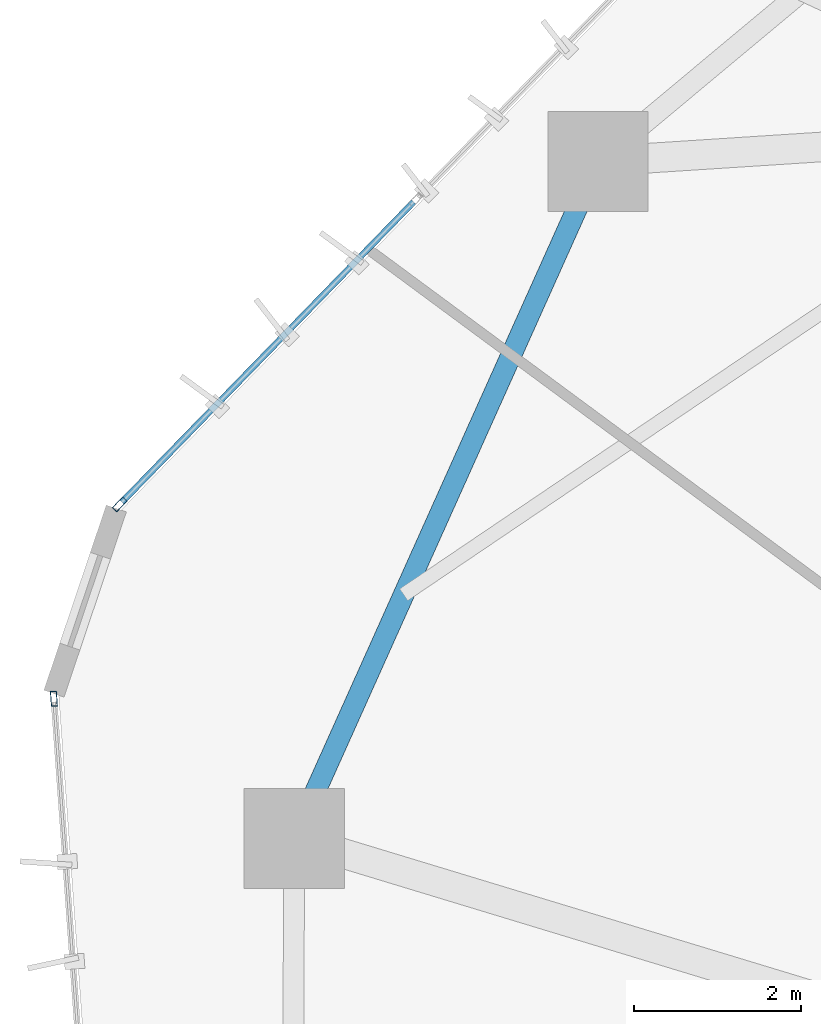
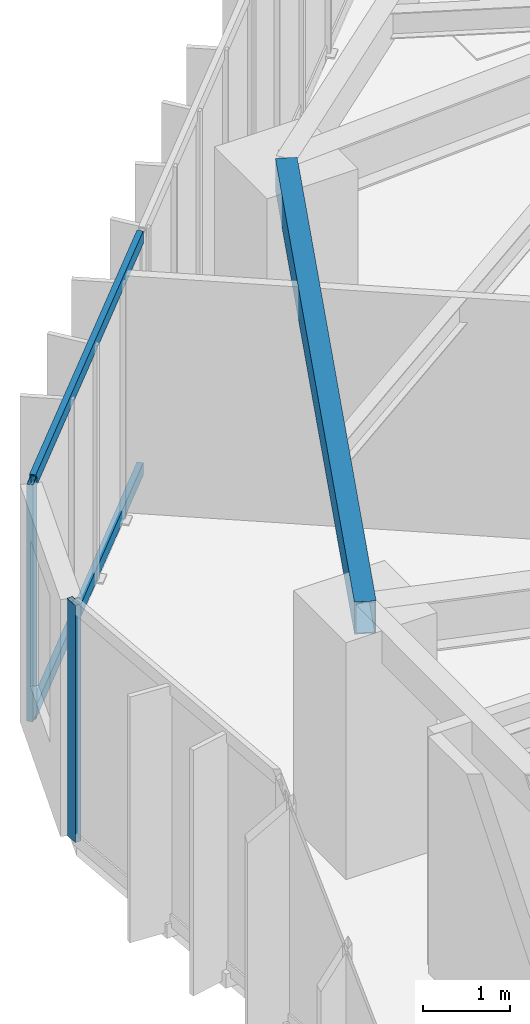
# One storey, part 8 of 23: 4 members, 1 beam, 2 elements without a shape of their own.
"""IFC4 building model written with IfcOpenShell, lengths in metres."""

import ifcopenshell
import ifcopenshell.guid

model = None  # the IFC model being written
_history = None  # IfcOwnerHistory: only IFC2X3 demands one
_inside = {}  # id of a spatial element -> (the spatial element, [elements in it])
_under = {}  # id of a project, library or spatial element -> (it, [spatial elements below it])
_declared = {}  # id of a project -> (the project, [libraries it declares])
_typed = {}  # id of a type object -> (the type object, [elements of that type])
_made_of = {}  # id of a material, layer set ... -> (it, [elements and type objects made of it])


def new_model(schema):
    """Start an empty IFC model of exactly this schema.

    Asked for "IFC4X3", IfcOpenShell would pick the latest addendum, in which some entities
    have other attributes; the version numbers below select the first issue.
    IFC2X3 requires an IfcOwnerHistory on every rooted entity: one is made here for all.
    """
    global model, _history
    if schema == "IFC4X3":
        model = ifcopenshell.file(schema_version=(4, 3, 0, 0))
    else:
        model = ifcopenshell.file(schema=schema)
    _inside.clear()
    _under.clear()
    _declared.clear()
    _typed.clear()
    _made_of.clear()
    _history = None
    if model.schema == "IFC2X3":
        org = make("IfcOrganization", Name="unknown")
        user = make(
            "IfcPersonAndOrganization",
            ThePerson=make("IfcPerson", FamilyName="unknown"),
            TheOrganization=org,
        )
        app = make(
            "IfcApplication",
            ApplicationDeveloper=org,
            Version="unknown",
            ApplicationFullName="unknown",
            ApplicationIdentifier="unknown",
        )
        _history = make(
            "IfcOwnerHistory",
            OwningUser=user,
            OwningApplication=app,
            ChangeAction="ADDED",
            CreationDate=0,
        )
    return model


def make(cls, **values):
    """One entity of the class cls with the attributes given. An attribute that is None is left unset."""
    return model.create_entity(
        cls, **{name: value for name, value in values.items() if value is not None}
    )


def rooted(cls, **values):
    """An entity with a GlobalId (a new one), such as an element, a storey or a relation."""
    return make(cls, GlobalId=ifcopenshell.guid.new(), OwnerHistory=_history, **values)


def si_unit(unit_type, name, prefix=None):
    """IfcSIUnit, for example si_unit("LENGTHUNIT", "METRE", prefix="MILLI")."""
    return make("IfcSIUnit", UnitType=unit_type, Prefix=prefix, Name=name)


def assignment(units):
    """IfcUnitAssignment: the units of a project."""
    return None if units is None else make("IfcUnitAssignment", Units=units)


def point(xyz):
    """IfcCartesianPoint."""
    return None if xyz is None else make("IfcCartesianPoint", Coordinates=xyz)


def direction(xyz):
    """IfcDirection."""
    return None if xyz is None else make("IfcDirection", DirectionRatios=xyz)


def frame(location, z_axis=None, x_axis=None):
    """IfcAxis2Placement3D, a coordinate frame: its origin and axes. An axis left out is left unset."""
    return make(
        "IfcAxis2Placement3D",
        Location=point(location),
        Axis=direction(z_axis),
        RefDirection=direction(x_axis),
    )


def frame_2d(location, x_axis=None):
    """IfcAxis2Placement2D, a coordinate frame in the plane: its origin and x axis."""
    return make(
        "IfcAxis2Placement2D", Location=point(location), RefDirection=direction(x_axis)
    )


def origin():
    """The frame at (0, 0, 0) with its axes left unset."""
    return frame((0.0, 0.0, 0.0))


def origin_2d():
    """The frame at (0, 0) in the plane with its x axis left unset."""
    return frame_2d((0.0, 0.0))


def place(relative_to, where):
    """IfcLocalPlacement: puts the frame where relative to a parent placement (None: the world)."""
    return make(
        "IfcLocalPlacement", PlacementRelTo=relative_to, RelativePlacement=where
    )


def context(
    kind, dimensions, precision=None, world=None, true_north=None, identifier=None
):
    """IfcGeometricRepresentationContext, for example the 3D "Model" context."""
    return make(
        "IfcGeometricRepresentationContext",
        ContextIdentifier=identifier,
        ContextType=kind,
        CoordinateSpaceDimension=dimensions,
        Precision=precision,
        WorldCoordinateSystem=world,
        TrueNorth=true_north,
    )


def subcontext(parent, identifier, kind, view, scale=None):
    """IfcGeometricRepresentationSubContext, for example "Body" below "Model"."""
    return make(
        "IfcGeometricRepresentationSubContext",
        ContextIdentifier=identifier,
        ContextType=kind,
        ParentContext=parent,
        TargetScale=scale,
        TargetView=view,
    )


def project(units=None, contexts=None):
    """IfcProject with its units and contexts."""
    return rooted(
        "IfcProject",
        Name="project",
        RepresentationContexts=contexts,
        UnitsInContext=assignment(units),
    )


def spatial(cls, under=None, at=None, **own):
    """A site, building, storey or space (cls), placed at a placement, below another one or the project."""
    s = rooted(cls, ObjectPlacement=at, **own)
    if under is not None:
        _under.setdefault(under.id(), (under, []))[1].append(s)
    return s


def profile(cls, at=None, kind="AREA", **sizes):
    """A parametric profile (cls). Its sizes go by their IFC names, for example OverallWidth=200.0."""
    return make(cls, ProfileType=kind, Position=at, **sizes)


def hollow_rectangle(**sizes):
    """IfcRectangleHollowProfileDef."""
    return profile("IfcRectangleHollowProfileDef", **sizes)


def extrude(swept, where, along, depth):
    """IfcExtrudedAreaSolid: the profile swept, set in the frame where, extruded along a direction by depth."""
    return make(
        "IfcExtrudedAreaSolid",
        SweptArea=swept,
        Position=where,
        ExtrudedDirection=direction(along),
        Depth=depth,
    )


def shape(context_of_items, identifier, shape_type, items):
    """IfcShapeRepresentation: the items that make up one representation, for example the "Body"."""
    return make(
        "IfcShapeRepresentation",
        ContextOfItems=context_of_items,
        RepresentationIdentifier=identifier,
        RepresentationType=shape_type,
        Items=items,
    )


def source(mapping_origin, context_of_items, identifier, shape_type, items):
    """IfcRepresentationMap: a shape defined once, which mapped items show again and again."""
    return make(
        "IfcRepresentationMap",
        MappingOrigin=mapping_origin,
        MappedRepresentation=shape(context_of_items, identifier, shape_type, items),
    )


def transform(
    local_origin,
    x_axis=None,
    y_axis=None,
    z_axis=None,
    scale=None,
    scale2=None,
    scale3=None,
    uniform=True,
):
    """IfcCartesianTransformationOperator3D, or its non-uniform kind. x_axis, y_axis, z_axis: its Axis1, 2, 3."""
    if uniform:
        return make(
            "IfcCartesianTransformationOperator3D",
            Axis1=direction(x_axis),
            Axis2=direction(y_axis),
            LocalOrigin=point(local_origin),
            Scale=scale,
            Axis3=direction(z_axis),
        )
    return make(
        "IfcCartesianTransformationOperator3DnonUniform",
        Axis1=direction(x_axis),
        Axis2=direction(y_axis),
        LocalOrigin=point(local_origin),
        Scale=scale,
        Axis3=direction(z_axis),
        Scale2=scale2,
        Scale3=scale3,
    )


def mapped(mapping_source, mapping_target):
    """IfcMappedItem: shows the shape of a source again, moved by a transform."""
    return make(
        "IfcMappedItem", MappingSource=mapping_source, MappingTarget=mapping_target
    )


def material(Name=None, Category=None):
    """IfcMaterial."""
    return make("IfcMaterial", Name=Name, Category=Category)


def layer(
    of_material, thickness, ventilated=None, Name=None, Category=None, Priority=None
):
    """IfcMaterialLayer: one layer of a wall or slab, of a material (None: an air gap)."""
    return make(
        "IfcMaterialLayer",
        Material=of_material,
        LayerThickness=thickness,
        IsVentilated=ventilated,
        Name=Name,
        Category=Category,
        Priority=Priority,
    )


def layer_set(layers, Name=None):
    """IfcMaterialLayerSet."""
    return make("IfcMaterialLayerSet", MaterialLayers=layers, LayerSetName=Name)


def material_profile(
    of_material, cross_section, Name=None, Category=None, Priority=None
):
    """IfcMaterialProfile: a cross section and its material."""
    return make(
        "IfcMaterialProfile",
        Name=Name,
        Material=of_material,
        Profile=cross_section,
        Priority=Priority,
        Category=Category,
    )


def profile_set(profiles, Name=None, composite=None):
    """IfcMaterialProfileSet."""
    return make(
        "IfcMaterialProfileSet",
        Name=Name,
        MaterialProfiles=profiles,
        CompositeProfile=composite,
    )


def made_of(thing, what):
    """Note that an element or type object is made of a material, layer set ...; save() writes the relation."""
    if what is not None:
        _made_of.setdefault(what.id(), (what, []))[1].append(thing)
    return thing


def type_object(cls, material=None, **own):
    """A type object (cls), such as IfcWallType, which elements share."""
    return made_of(rooted(cls, **own), material)


def type_shapes(of_type, sources):
    """Give a type object the sources (RepresentationMaps) that its elements show as mapped items."""
    of_type.RepresentationMaps = sources


def element(
    cls,
    number,
    at=None,
    inside=None,
    cuts=None,
    type_object=None,
    material=None,
    context=None,
    identifier="Body",
    shape_type=None,
    held_by="IfcProductDefinitionShape",
    body=None,
    shapes=None,
    **own,
):
    """One element of the class cls, such as IfcWall. Its Tag is "e" and its number.

    at: its placement. inside: the storey or other place that contains it. cuts: it is an
    opening in that element (IfcRelVoidsElement). A single representation is given by context,
    identifier, shape_type and body (its items); several are given by shapes. held_by: the class
    of the entity that holds the representations. save() writes the other relations.
    """
    e = rooted(cls, Tag="e%d" % number, ObjectPlacement=at, **own)
    if body is not None:
        shapes = [shape(context, identifier, shape_type, body)]
    if shapes is not None:
        e.Representation = make(held_by, Representations=shapes)
    if inside is not None:
        _inside.setdefault(inside.id(), (inside, []))[1].append(e)
    if cuts is not None:
        rooted(
            "IfcRelVoidsElement", RelatingBuildingElement=cuts, RelatedOpeningElement=e
        )
    if type_object is not None:
        _typed.setdefault(type_object.id(), (type_object, []))[1].append(e)
    return made_of(e, material)


def aggregate(whole, parts):
    """IfcRelAggregates: a whole, such as a stair, and the parts it consists of."""
    return rooted("IfcRelAggregates", RelatingObject=whole, RelatedObjects=parts)


def save(model, path):
    """Write the relations noted so far, then the file.

    IfcRelAggregates (storeys below a building ...), IfcRelContainedInSpatialStructure (elements
    in a storey), IfcRelDefinesByType, IfcRelAssociatesMaterial and IfcRelDeclares: one each for
    every whole, place, type object, material and project.
    """
    for whole, parts in _under.values():
        aggregate(whole, parts)
    for where, things in _inside.values():
        rooted(
            "IfcRelContainedInSpatialStructure",
            RelatedElements=things,
            RelatingStructure=where,
        )
    for kind, things in _typed.values():
        rooted("IfcRelDefinesByType", RelatedObjects=things, RelatingType=kind)
    for what, things in _made_of.values():
        rooted("IfcRelAssociatesMaterial", RelatedObjects=things, RelatingMaterial=what)
    for by, libraries in _declared.values():
        rooted("IfcRelDeclares", RelatingContext=by, RelatedDefinitions=libraries)
    model.write(path)


model = new_model("IFC4")

# Units and contexts
model_context = context("Model", 3, precision=1e-05, world=origin(), true_north=direction((0.0, 1.0)))
body_context = subcontext(model_context, "Body", "Model", "MODEL_VIEW")
ifc_project = project(units=[si_unit("LENGTHUNIT", "METRE"), si_unit("AREAUNIT", "SQUARE_METRE"), si_unit("VOLUMEUNIT", "CUBIC_METRE"), si_unit("PLANEANGLEUNIT", "RADIAN"), si_unit("MASSUNIT", "GRAM", prefix="KILO")], contexts=[model_context])

# Site, building, storey
site_placement = place(None, origin())
site = spatial("IfcSite", under=ifc_project, at=site_placement, CompositionType="ELEMENT")
building_placement = place(site_placement, origin())
building = spatial("IfcBuilding", under=site, at=building_placement, Name="Talar Marvaseh", CompositionType="ELEMENT")
storey_placement = place(building_placement, frame((0.0, 0.0, 96.60009765625)))
storey = spatial("IfcBuildingStorey", under=building, at=storey_placement, Name="L24", CompositionType="ELEMENT", Elevation=96.60009765625)

# Beam
ifc_material_1 = material(Name="Steel S355", Category="steel")
ifc_material_profile_1 = material_profile(ifc_material_1, hollow_rectangle(XDim=0.25, YDim=0.449951171875, WallThickness=0.01611328125, at=origin_2d()), Name="RHS450x250x16")
ifc_profile_set_1 = profile_set([ifc_material_profile_1], Name="Steel S355")
beam_type = type_object("IfcBeamType", Name="Zone 2 Perimeter Spandrel Beam RHS450x250x16", PredefinedType="SPANDREL", material=ifc_profile_set_1)
beam_placement = place(storey_placement, frame((9.137939453125, 28.402099609375, 3.0849609375), z_axis=(0.409461733275, 0.912327292688, 0.0), x_axis=(-0.912327292688, 0.409461733275, 0.0)))
element("IfcBeam", 1, at=beam_placement, inside=storey, type_object=beam_type, Name="L24 Zone 2 Perimeter Spandrel Beam RHS450x250x16", PredefinedType="SPANDREL", context=body_context, shape_type="SweptSolid", body=[
    extrude(hollow_rectangle(XDim=0.25, YDim=0.449951171875, WallThickness=0.01611328125, at=origin_2d()), origin(), (0.0, 0.0, 1.0), 8.894775390625),
])

# Curtain wall, members
ifc_material_2 = material(Name="Architectural Aluminium", Category="aluminium")
ifc_layer = layer(ifc_material_2, 0.199951171875)
ifc_layer_set = layer_set([ifc_layer], Name="Architectural Aluminium")
curtain_wall_type = type_object("IfcCurtainWallType", Name="Unitised Acoustic Library Curtain Wall Z2", PredefinedType="NOTDEFINED", material=ifc_layer_set)
curtain_wall_1_placement = place(storey_placement, origin())
curtain_wall_1 = element("IfcCurtainWall", 2, at=curtain_wall_1_placement, inside=storey, type_object=curtain_wall_type, Name="L24 Unitised Acoustic Library Curtain Wall Z2", PredefinedType="NOTDEFINED")
ifc_material_profile_2 = material_profile(ifc_material_2, hollow_rectangle(XDim=0.074951171875, YDim=0.179931640625, WallThickness=0.0048828125, at=origin_2d()), Name="RHS180x75x5")
ifc_profile_set_2 = profile_set([ifc_material_profile_2], Name="Architectural Aluminium")
member_type_1 = type_object("IfcMemberType", Name="Unitised Curtain Wall Transom RHS180x75x5", PredefinedType="USERDEFINED", material=ifc_profile_set_2)
shared_shape_1 = source(origin(), body_context, "Body", "SweptSolid", [
    extrude(hollow_rectangle(XDim=0.074951171875, YDim=0.179931640625, WallThickness=0.0048828125, at=origin_2d()), origin(), (0.0, 0.0, 1.0), 5.017578125),
])
type_shapes(member_type_1, [shared_shape_1])
member_1_placement = place(storey_placement, frame((7.07177734375, 32.433349609375, 0.037353515625), z_axis=(0.696963043413, 0.717107046483, 0.0), x_axis=(-0.717107046483, 0.696963043413, 0.0)))
member_1 = element("IfcMember", 3, at=member_1_placement, type_object=member_type_1, Name="CW-Z2 transom 1.1", ObjectType="TRANSOM", PredefinedType="USERDEFINED", context=body_context, shape_type="MappedRepresentation", body=[
    mapped(shared_shape_1, transform((0.0, 0.0, 0.0), x_axis=(1.0, 0.0, 0.0), y_axis=(0.0, 1.0, 0.0), z_axis=(0.0, 0.0, 1.0), scale=1.0)),
])
member_2_placement = place(storey_placement, frame((7.07177734375, 32.433349609375, 3.2724609375), z_axis=(0.696963043413, 0.717107046483, 0.0), x_axis=(-0.717107046483, 0.696963043413, 0.0)))
member_2 = element("IfcMember", 4, at=member_2_placement, type_object=member_type_1, Name="CW-Z2 transom 1.2", ObjectType="TRANSOM", PredefinedType="USERDEFINED", context=body_context, shape_type="MappedRepresentation", body=[
    mapped(shared_shape_1, transform((0.0, 0.0, 0.0), x_axis=(1.0, 0.0, 0.0), y_axis=(0.0, 1.0, 0.0), z_axis=(0.0, 0.0, 1.0), scale=1.0)),
])

# Curtain wall, member
curtain_wall_2_placement = place(storey_placement, origin())
curtain_wall_2 = element("IfcCurtainWall", 5, at=curtain_wall_2_placement, inside=storey, type_object=curtain_wall_type, Name="L24 Unitised Acoustic Library Curtain Wall Z2", PredefinedType="NOTDEFINED")
ifc_material_profile_3 = material_profile(ifc_material_2, hollow_rectangle(XDim=0.074951171875, YDim=0.179931640625, WallThickness=0.0048828125, at=origin_2d()), Name="RHS180x75x5")
ifc_profile_set_3 = profile_set([ifc_material_profile_3], Name="Architectural Aluminium")
member_type_2 = type_object("IfcMemberType", Name="Unitised Curtain Wall Standard Mullion RHS180x75x5", PredefinedType="MULLION", material=ifc_profile_set_3)
shared_shape_2 = source(origin(), body_context, "Body", "SweptSolid", [
    extrude(hollow_rectangle(XDim=0.074951171875, YDim=0.179931640625, WallThickness=0.0048828125, at=origin_2d()), origin(), (0.0, 0.0, 1.0), 3.309814453125),
])
type_shapes(member_type_2, [shared_shape_2])
member_3_placement = place(storey_placement, frame((6.258056640625, 30.077880859375, 0.0), z_axis=(0.0, 0.0, 1.0), x_axis=(-0.997445602626, -0.071430174316, 0.0)))
member_3 = element("IfcMember", 6, at=member_3_placement, type_object=member_type_2, Name="CW-Z2 mullion 5", PredefinedType="MULLION", context=body_context, shape_type="MappedRepresentation", body=[
    mapped(shared_shape_2, transform((0.0, 0.0, 0.0), x_axis=(1.0, 0.0, 0.0), y_axis=(0.0, 1.0, 0.0), z_axis=(0.0, 0.0, 1.0), scale=1.0)),
])
aggregate(curtain_wall_2, [member_3])

# Member
member_4_placement = place(storey_placement, frame((7.045654296875, 32.406494140625, 0.0), z_axis=(0.0, 0.0, 1.0), x_axis=(-0.717125619445, 0.696943933137, 0.0)))
member_4 = element("IfcMember", 7, at=member_4_placement, type_object=member_type_2, Name="CW-Z2 mullion 1", PredefinedType="MULLION", context=body_context, shape_type="MappedRepresentation", body=[
    mapped(shared_shape_2, transform((0.0, 0.0, 0.0), x_axis=(1.0, 0.0, 0.0), y_axis=(0.0, 1.0, 0.0), z_axis=(0.0, 0.0, 1.0), scale=1.0)),
])

aggregate(curtain_wall_1, [member_4, member_1, member_2])

save(model, "model.ifc")
